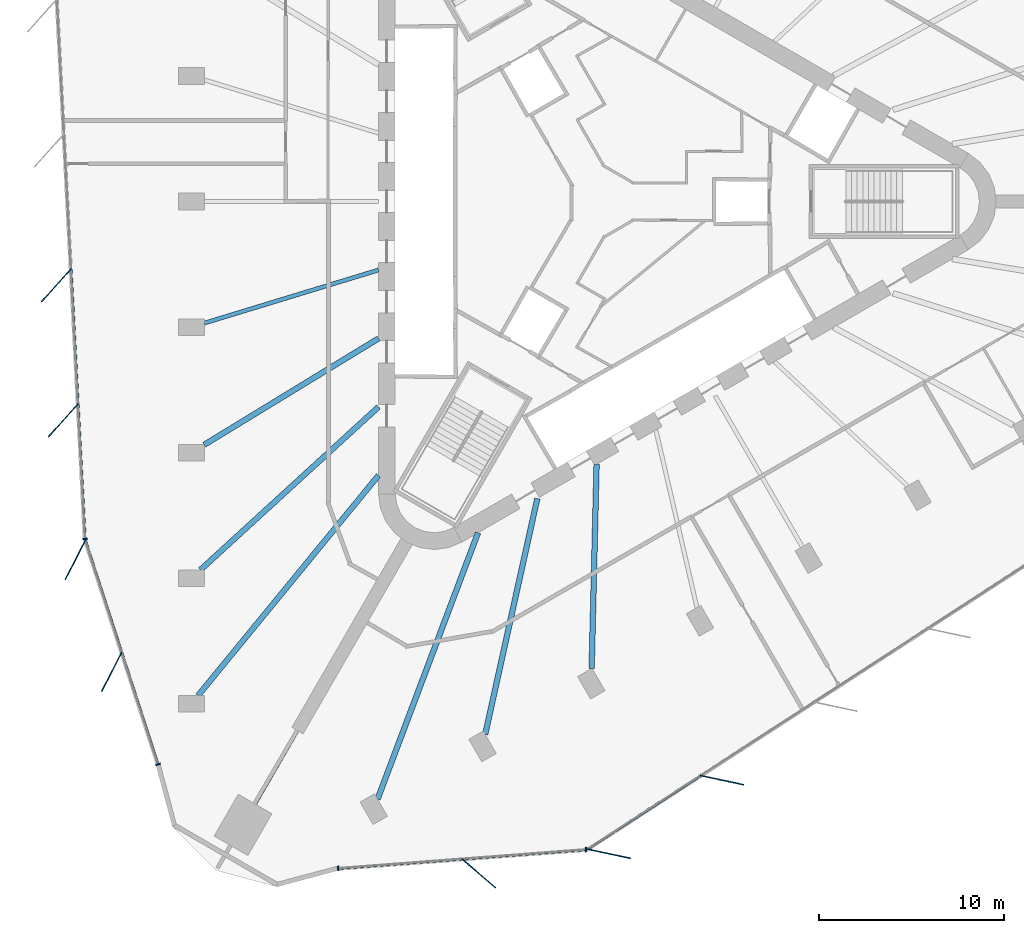
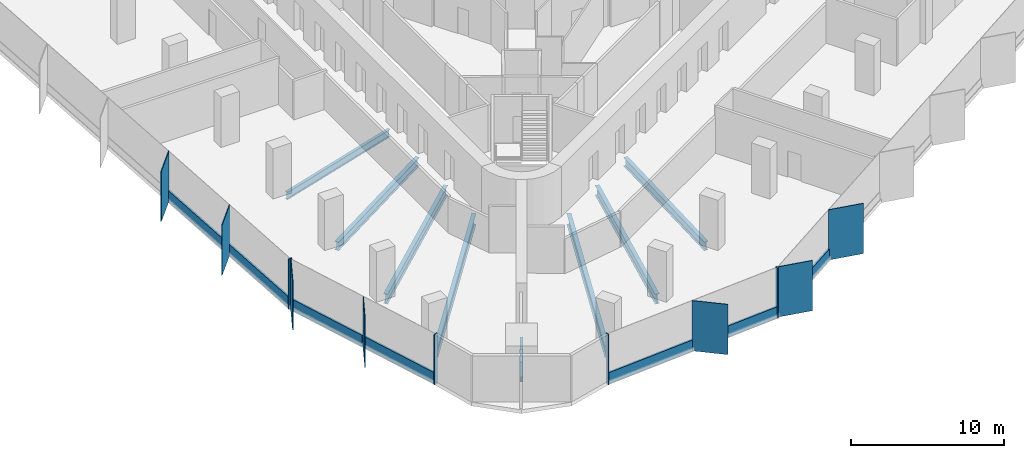
# One storey, part 2 of 14: 18 members, 8 beams, 4 elements without a shape of their own.
"""IFC4 building model written with IfcOpenShell, lengths in metres."""

from ifc_helpers import new_model, si_unit, direction, frame, origin, origin_2d, place, context, subcontext, project, spatial, rectangle, i_section, extrude, material, material_profile, profile_set, type_object, element, aggregate, save


model = new_model("IFC4")

# Units and contexts
model_context = context("Model", 3, precision=1e-05, world=origin(), true_north=direction((0.0, 1.0)))
body_context = subcontext(model_context, "Body", "Model", "MODEL_VIEW")
ifc_project = project(units=[si_unit("LENGTHUNIT", "METRE"), si_unit("AREAUNIT", "SQUARE_METRE"), si_unit("VOLUMEUNIT", "CUBIC_METRE"), si_unit("PLANEANGLEUNIT", "RADIAN"), si_unit("MASSUNIT", "GRAM", prefix="KILO")], contexts=[model_context])

# Site, building, storey
site_placement = place(None, origin())
site = spatial("IfcSite", under=ifc_project, at=site_placement, CompositionType="ELEMENT")
building_placement = place(site_placement, origin())
building = spatial("IfcBuilding", under=site, at=building_placement, Name="Tanit Gate Tower", CompositionType="ELEMENT")
storey_placement = place(building_placement, frame((0.0, 0.0, 209.199951171875)))
storey = spatial("IfcBuildingStorey", under=building, at=storey_placement, Name="L46", CompositionType="ELEMENT", Elevation=209.199951171875)

# Curtain wall, members
ifc_material_1 = material(Name="Aluminium bronze anodised and glass", Category="aluminium")
curtain_wall_type = type_object("IfcCurtainWallType", Name="Curtain wall typical mid", PredefinedType="NOTDEFINED", material=ifc_material_1)
curtain_wall_1_placement = place(storey_placement, origin())
curtain_wall_1 = element("IfcCurtainWall", 1, at=curtain_wall_1_placement, inside=storey, type_object=curtain_wall_type, Name="Curtain wall L46 W2", PredefinedType="NOTDEFINED")
ifc_material_2 = material(Name="Aluminium bronze anodised", Category="aluminium")
ifc_material_profile_1 = material_profile(ifc_material_2, rectangle(XDim=2.39990234375, YDim=0.055908203125, at=origin_2d()), Name="56x2400 bronze fin mullion")
ifc_profile_set_1 = profile_set([ifc_material_profile_1], Name="Aluminium bronze anodised")
member_type_1 = type_object("IfcMemberType", Name="FIN MULLION 56x2400 bronze", PredefinedType="MULLION", material=ifc_profile_set_1)
member_1_placement = place(storey_placement, frame((-29.47216796875, -4.514892578125, -0.300048828125), z_axis=(0.0, 0.0, 1.0), x_axis=(0.669378375715, 0.742921658135, 0.0)))
member_1 = element("IfcMember", 2, at=member_1_placement, type_object=member_type_1, Name="Fin mullion L46 W2.4", PredefinedType="MULLION", context=body_context, shape_type="SweptSolid", body=[
    extrude(rectangle(XDim=2.39990234375, YDim=0.055908203125, at=origin_2d()), origin(), (0.0, 0.0, 1.0), 4.0),
])
member_2_placement = place(storey_placement, frame((-29.09326171875, -11.791015625, -0.300048828125), z_axis=(0.0, 0.0, 1.0), x_axis=(0.669378375715, 0.742921658135, 0.0)))
member_2 = element("IfcMember", 3, at=member_2_placement, type_object=member_type_1, Name="Fin mullion L46 W2.5", PredefinedType="MULLION", context=body_context, shape_type="SweptSolid", body=[
    extrude(rectangle(XDim=2.39990234375, YDim=0.055908203125, at=origin_2d()), origin(), (0.0, 0.0, 1.0), 4.0),
])

curtain_wall_2_placement = place(storey_placement, origin())
curtain_wall_2 = element("IfcCurtainWall", 4, at=curtain_wall_2_placement, inside=storey, type_object=curtain_wall_type, Name="Curtain wall L46 W3", PredefinedType="NOTDEFINED")
member_3_placement = place(storey_placement, frame((-28.44677734375, -19.319091796875, -0.300048828125), z_axis=(0.0, 0.0, 1.0), x_axis=(0.454550571501, 0.890720931576, 0.0)))
member_3 = element("IfcMember", 5, at=member_3_placement, type_object=member_type_1, Name="Fin mullion L46 W3.1", PredefinedType="MULLION", context=body_context, shape_type="SweptSolid", body=[
    extrude(rectangle(XDim=2.39990234375, YDim=0.055908203125, at=origin_2d()), origin(), (0.0, 0.0, 1.0), 4.0),
])
member_4_placement = place(storey_placement, frame((-26.488525390625, -25.359375, -0.300048828125), z_axis=(0.0, 0.0, 1.0), x_axis=(0.454550571501, 0.890720931576, 0.0)))
member_4 = element("IfcMember", 6, at=member_4_placement, type_object=member_type_1, Name="Fin mullion L46 W3.2", PredefinedType="MULLION", context=body_context, shape_type="SweptSolid", body=[
    extrude(rectangle(XDim=2.39990234375, YDim=0.055908203125, at=origin_2d()), origin(), (0.0, 0.0, 1.0), 4.0),
])

# Curtain wall, member
curtain_wall_3_placement = place(storey_placement, origin())
curtain_wall_3 = element("IfcCurtainWall", 7, at=curtain_wall_3_placement, inside=storey, type_object=curtain_wall_type, Name="Curtain wall L46 SE1", PredefinedType="NOTDEFINED")
member_5_placement = place(storey_placement, frame((-6.70263671875, -36.218994140625, -0.300048828125), z_axis=(0.0, 0.0, 1.0), x_axis=(-0.758569780535, 0.651591810921, 0.0)))
member_5 = element("IfcMember", 8, at=member_5_placement, type_object=member_type_1, Name="Fin mullion L46 SE1.2", PredefinedType="MULLION", context=body_context, shape_type="SweptSolid", body=[
    extrude(rectangle(XDim=2.39990234375, YDim=0.055908203125, at=origin_2d()), origin(), (0.0, 0.0, 1.0), 4.0),
])

# Curtain wall, members
curtain_wall_4_placement = place(storey_placement, origin())
curtain_wall_4 = element("IfcCurtainWall", 9, at=curtain_wall_4_placement, inside=storey, type_object=curtain_wall_type, Name="Curtain wall L46 SE2", PredefinedType="NOTDEFINED")
member_6_placement = place(storey_placement, frame((0.310791015625, -35.16455078125, -0.300048828125), z_axis=(0.0, 0.0, 1.0), x_axis=(-0.978078216824, 0.208237849046, 0.0)))
member_6 = element("IfcMember", 10, at=member_6_placement, type_object=member_type_1, Name="Fin mullion L46 SE2.1", PredefinedType="MULLION", context=body_context, shape_type="SweptSolid", body=[
    extrude(rectangle(XDim=2.39990234375, YDim=0.055908203125, at=origin_2d()), origin(), (0.0, 0.0, 1.0), 4.0),
])
member_7_placement = place(storey_placement, frame((6.422607421875, -31.198486328125, -0.300048828125), z_axis=(0.0, 0.0, 1.0), x_axis=(-0.978078216824, 0.208237849046, 0.0)))
member_7 = element("IfcMember", 11, at=member_7_placement, type_object=member_type_1, Name="Fin mullion L46 SE2.2", PredefinedType="MULLION", context=body_context, shape_type="SweptSolid", body=[
    extrude(rectangle(XDim=2.39990234375, YDim=0.055908203125, at=origin_2d()), origin(), (0.0, 0.0, 1.0), 4.0),
])

# Member
ifc_material_3 = material(Name="Aluminium bronze anodised", Category="aluminium")
ifc_material_profile_2 = material_profile(ifc_material_3, rectangle(XDim=0.260009765625, YDim=0.080078125, at=origin_2d()), Name="80x260 bronze mullion")
ifc_profile_set_2 = profile_set([ifc_material_profile_2], Name="Aluminium bronze anodised")
member_type_2 = type_object("IfcMemberType", Name="Mullion 80x260 typical mid", PredefinedType="MULLION", material=ifc_profile_set_2)
member_8_placement = place(storey_placement, frame((-27.925537109375, -18.191162109375, -0.300048828125), z_axis=(0.0, 0.0, 1.0), x_axis=(0.998646931005, 0.05200295371, 0.0)))
member_8 = element("IfcMember", 12, at=member_8_placement, type_object=member_type_2, Name="Mullion L46 W2.6", PredefinedType="MULLION", context=body_context, shape_type="SweptSolid", body=[
    extrude(rectangle(XDim=0.260009765625, YDim=0.080078125, at=origin_2d()), origin(), (0.0, 0.0, 1.0), 4.0),
])

member_9_placement = place(storey_placement, frame((-23.994140625, -30.349853515625, -0.300048828125), z_axis=(0.0, 0.0, 1.0), x_axis=(0.951250602363, 0.308419019362, 0.0)))
member_9 = element("IfcMember", 13, at=member_9_placement, type_object=member_type_2, Name="Mullion L46 W3.3", PredefinedType="MULLION", context=body_context, shape_type="SweptSolid", body=[
    extrude(rectangle(XDim=0.260009765625, YDim=0.080078125, at=origin_2d()), origin(), (0.0, 0.0, 1.0), 4.0),
])

member_10_placement = place(storey_placement, frame((-14.278076171875, -35.957763671875, -0.300048828125), z_axis=(0.0, 0.0, 1.0), x_axis=(-0.075644847752, 0.997134823887, 0.0)))
member_10 = element("IfcMember", 14, at=member_10_placement, type_object=member_type_2, Name="Mullion L46 SE1.1", PredefinedType="MULLION", context=body_context, shape_type="SweptSolid", body=[
    extrude(rectangle(XDim=0.260009765625, YDim=0.080078125, at=origin_2d()), origin(), (0.0, 0.0, 1.0), 4.0),
])

member_11_placement = place(storey_placement, frame((-0.91552734375, -34.94384765625, -0.300048828125), z_axis=(0.0, 0.0, 1.0), x_axis=(-0.075644847752, 0.997134823887, 0.0)))
member_11 = element("IfcMember", 15, at=member_11_placement, type_object=member_type_2, Name="Mullion L46 SE1.3", PredefinedType="MULLION", context=body_context, shape_type="SweptSolid", body=[
    extrude(rectangle(XDim=0.260009765625, YDim=0.080078125, at=origin_2d()), origin(), (0.0, 0.0, 1.0), 4.0),
])

# Beams
ifc_material_4 = material(Name="Steel S355", Category="steel")
ifc_material_profile_3 = material_profile(ifc_material_4, i_section(OverallWidth=0.300048828125, OverallDepth=0.68994140625, WebThickness=0.014404296875, FlangeThickness=0.027099609375, FilletRadius=0.027099609375, at=origin_2d()), Name="HEA 700")
ifc_profile_set_3 = profile_set([ifc_material_profile_3], Name="Steel S355")
beam_type_1 = type_object("IfcBeamType", Name="RADIAL GIRDER HEA 700 S355", PredefinedType="BEAM", material=ifc_profile_set_3)
for number, where, z_axis, x_axis, name in (
    (16, (-21.4970703125, -13.114990234375, -0.64501953125), (0.853674218832, 0.520807380997, 0.0), (-0.520807380997, 0.853674218832, 0.0), "RADIAL GIRDER"),
    (17, (-0.609375, -25.17431640625, -0.64501953125), (0.024202383749, 0.999707079409, 0.0), (-0.999707079409, 0.024202383749, 0.0), "RADIAL GIRDER"),
):
    element("IfcBeam", number, at=place(storey_placement, frame(where, z_axis=z_axis, x_axis=x_axis)), inside=storey, type_object=beam_type_1, Name=name, PredefinedType="BEAM", context=body_context, shape_type="SweptSolid", body=[
        extrude(i_section(OverallWidth=0.300048828125, OverallDepth=0.68994140625, WebThickness=0.014404296875, FlangeThickness=0.027099609375, FilletRadius=0.027099609375, at=origin_2d()), origin(), (0.0, 0.0, 1.0), 11.00537109375),
    ])
ifc_material_5 = material(Name="Steel S355", Category="steel")
ifc_material_profile_4 = material_profile(ifc_material_5, i_section(OverallWidth=0.300048828125, OverallDepth=0.7900390625, WebThickness=0.014892578125, FlangeThickness=0.028076171875, FilletRadius=0.030029296875, at=origin_2d()), Name="HEA 800")
ifc_profile_set_4 = profile_set([ifc_material_profile_4], Name="Steel S355")
beam_type_2 = type_object("IfcBeamType", Name="RADIAL GIRDER HEA 800 S355", PredefinedType="BEAM", material=ifc_profile_set_4)
for number, where, z_axis, x_axis, name in (
    (18, (-21.705322265625, -19.86279296875, -0.695068359375), (0.737724522126, 0.675101865983, 0.0), (-0.675101865983, 0.737724522126, 0.0), "RADIAL GIRDER"),
    (19, (-6.349365234375, -28.728759765625, -0.695068359375), (0.21581230457, 0.976434866848, 0.0), (-0.976434866848, 0.21581230457, 0.0), "RADIAL GIRDER"),
):
    element("IfcBeam", number, at=place(storey_placement, frame(where, z_axis=z_axis, x_axis=x_axis)), inside=storey, type_object=beam_type_2, Name=name, PredefinedType="BEAM", context=body_context, shape_type="SweptSolid", body=[
        extrude(i_section(OverallWidth=0.300048828125, OverallDepth=0.7900390625, WebThickness=0.014892578125, FlangeThickness=0.028076171875, FilletRadius=0.030029296875, at=origin_2d()), origin(), (0.0, 0.0, 1.0), 13.017333984375),
    ])
ifc_material_6 = material(Name="Steel S355", Category="steel")
ifc_material_profile_5 = material_profile(ifc_material_6, i_section(OverallWidth=0.300048828125, OverallDepth=0.889892578125, WebThickness=0.01611328125, FlangeThickness=0.030029296875, FilletRadius=0.030029296875, at=origin_2d()), Name="HEA 900")
ifc_profile_set_5 = profile_set([ifc_material_profile_5], Name="Steel S355")
beam_type_3 = type_object("IfcBeamType", Name="RADIAL GIRDER HEA 900 S355", PredefinedType="BEAM", material=ifc_profile_set_5)
beam_1_placement = place(storey_placement, frame((-21.828125, -26.6337890625, -0.744873046875), z_axis=(0.633876155271, 0.77343456076, 0.0), x_axis=(-0.77343456076, 0.633876155271, 0.0)))
element("IfcBeam", 20, at=beam_1_placement, inside=storey, type_object=beam_type_3, Name="RADIAL GIRDER", PredefinedType="BEAM", context=body_context, shape_type="SweptSolid", body=[
    extrude(i_section(OverallWidth=0.300048828125, OverallDepth=0.889892578125, WebThickness=0.01611328125, FlangeThickness=0.030029296875, FilletRadius=0.030029296875, at=origin_2d()), origin(), (0.0, 0.0, 1.0), 15.34375),
])
beam_2_placement = place(storey_placement, frame((-12.151611328125, -32.220703125, -0.744873046875), z_axis=(0.352876972664, 0.935669729212, 0.0), x_axis=(-0.935669729212, 0.352876972664, 0.0)))
element("IfcBeam", 21, at=beam_2_placement, inside=storey, type_object=beam_type_3, Name="RADIAL GIRDER", PredefinedType="BEAM", context=body_context, shape_type="SweptSolid", body=[
    extrude(i_section(OverallWidth=0.300048828125, OverallDepth=0.889892578125, WebThickness=0.01611328125, FlangeThickness=0.030029296875, FilletRadius=0.030029296875, at=origin_2d()), origin(), (0.0, 0.0, 1.0), 15.343994140625),
])
ifc_material_7 = material(Name="Steel S355", Category="steel")
ifc_material_profile_6 = material_profile(ifc_material_7, i_section(OverallWidth=0.179931640625, OverallDepth=0.39990234375, WebThickness=0.008544921875, FlangeThickness=0.013427734375, FilletRadius=0.02099609375, at=origin_2d()), Name="IPE 400")
ifc_profile_set_6 = profile_set([ifc_material_profile_6], Name="Steel S355")
beam_type_4 = type_object("IfcBeamType", Name="RADIAL GIRDER IPE 400 S355", PredefinedType="BEAM", material=ifc_profile_set_6)
beam_3_placement = place(storey_placement, frame((-18.755615234375, -32.485595703125, -0.5), z_axis=(0.500013963156, 0.866017342002, 0.0), x_axis=(-0.866017342002, 0.500013963156, 0.0)))
element("IfcBeam", 22, at=beam_3_placement, inside=storey, type_object=beam_type_4, Name="RADIAL GIRDER", PredefinedType="BEAM", context=body_context, shape_type="SweptSolid", body=[
    extrude(i_section(OverallWidth=0.179931640625, OverallDepth=0.39990234375, WebThickness=0.008544921875, FlangeThickness=0.013427734375, FilletRadius=0.02099609375, at=origin_2d()), origin(), (0.0, 0.0, 1.0), 4.567138671875),
])
ifc_material_8 = material(Name="Steel S355", Category="steel")
ifc_material_profile_7 = material_profile(ifc_material_8, i_section(OverallWidth=0.219970703125, OverallDepth=0.60009765625, WebThickness=0.011962890625, FlangeThickness=0.01904296875, FilletRadius=0.02392578125, at=origin_2d()), Name="IPE 600")
ifc_profile_set_7 = profile_set([ifc_material_profile_7], Name="Steel S355")
beam_type_5 = type_object("IfcBeamType", Name="RADIAL GIRDER IPE 600 S355", PredefinedType="BEAM", material=ifc_profile_set_7)
beam_4_placement = place(storey_placement, frame((-21.4970703125, -6.5576171875, -0.599853515625), z_axis=(0.956486148302, 0.291777737511, 0.0), x_axis=(-0.291777737511, 0.956486148302, 0.0)))
element("IfcBeam", 23, at=beam_4_placement, inside=storey, type_object=beam_type_5, Name="RADIAL GIRDER", PredefinedType="BEAM", context=body_context, shape_type="SweptSolid", body=[
    extrude(i_section(OverallWidth=0.219970703125, OverallDepth=0.60009765625, WebThickness=0.011962890625, FlangeThickness=0.01904296875, FilletRadius=0.02392578125, at=origin_2d()), origin(), (0.0, 0.0, 1.0), 9.822509765625),
])

# Member
ifc_material_9 = material(Name="Aluminium bronze anodised", Category="aluminium")
ifc_material_profile_8 = material_profile(ifc_material_9, rectangle(XDim=0.139892578125, YDim=0.89990234375, at=origin_2d()), Name="140x900 bronze transom")
ifc_profile_set_8 = profile_set([ifc_material_profile_8], Name="Aluminium bronze anodised")
member_type_3 = type_object("IfcMemberType", Name="Transom 140x900 typical mid", PredefinedType="USERDEFINED", material=ifc_profile_set_8)
member_12_placement = place(storey_placement, frame((-28.68115234375, -3.67919921875, 0.150146484375), z_axis=(0.052007554582, -0.998646691411, 0.0), x_axis=(0.998646691411, 0.052007554582, 0.0)))
member_12 = element("IfcMember", 24, at=member_12_placement, type_object=member_type_3, Name="Transom L46 W2.4", ObjectType="TRANSOM", PredefinedType="USERDEFINED", context=body_context, shape_type="SweptSolid", body=[
    extrude(rectangle(XDim=0.139892578125, YDim=0.89990234375, at=origin_2d()), origin(), (0.0, 0.0, 1.0), 7.205810546875),
])

member_13_placement = place(storey_placement, frame((-28.30224609375, -10.955078125, 0.150146484375), z_axis=(0.052005794951, -0.998646783048, 0.0), x_axis=(0.998646783048, 0.052005794951, 0.0)))
member_13 = element("IfcMember", 25, at=member_13_placement, type_object=member_type_3, Name="Transom L46 W2.5", ObjectType="TRANSOM", PredefinedType="USERDEFINED", context=body_context, shape_type="SweptSolid", body=[
    extrude(rectangle(XDim=0.139892578125, YDim=0.89990234375, at=origin_2d()), origin(), (0.0, 0.0, 1.0), 7.2060546875),
])

aggregate(curtain_wall_1, [member_1, member_2, member_8, member_12, member_13])

member_14_placement = place(storey_placement, frame((-27.898681640625, -18.30712890625, 0.150146484375), z_axis=(0.308437087758, -0.951244743952, 0.0), x_axis=(0.951244743952, 0.308437087758, 0.0)))
member_14 = element("IfcMember", 26, at=member_14_placement, type_object=member_type_3, Name="Transom L46 W3.1", ObjectType="TRANSOM", PredefinedType="USERDEFINED", context=body_context, shape_type="SweptSolid", body=[
    extrude(rectangle(XDim=0.139892578125, YDim=0.89990234375, at=origin_2d()), origin(), (0.0, 0.0, 1.0), 6.269775390625),
])

member_15_placement = place(storey_placement, frame((-25.940185546875, -24.347412109375, 0.150146484375), z_axis=(0.308390429094, -0.951259871562, 0.0), x_axis=(0.951259871562, 0.308390429094, 0.0)))
member_15 = element("IfcMember", 27, at=member_15_placement, type_object=member_type_3, Name="Transom L46 W3.2", ObjectType="TRANSOM", PredefinedType="USERDEFINED", context=body_context, shape_type="SweptSolid", body=[
    extrude(rectangle(XDim=0.139892578125, YDim=0.89990234375, at=origin_2d()), origin(), (0.0, 0.0, 1.0), 6.27001953125),
])

aggregate(curtain_wall_2, [member_3, member_4, member_9, member_14, member_15])

member_16_placement = place(storey_placement, frame((-14.238037109375, -35.95458984375, 0.150146484375), z_axis=(0.997135486421, 0.07563611386, 0.0), x_axis=(-0.07563611386, 0.997135486421, 0.0)))
member_16 = element("IfcMember", 28, at=member_16_placement, type_object=member_type_3, Name="Transom L46 SE1.1", ObjectType="TRANSOM", PredefinedType="USERDEFINED", context=body_context, shape_type="SweptSolid", body=[
    extrude(rectangle(XDim=0.139892578125, YDim=0.89990234375, at=origin_2d()), origin(), (0.0, 0.0, 1.0), 6.620361328125),
])

member_17_placement = place(storey_placement, frame((-7.556884765625, -35.44775390625, 0.150146484375), z_axis=(0.99713569738, 0.075633332667, 0.0), x_axis=(-0.075633332667, 0.99713569738, 0.0)))
member_17 = element("IfcMember", 29, at=member_17_placement, type_object=member_type_3, Name="Transom L46 SE1.2", ObjectType="TRANSOM", PredefinedType="USERDEFINED", context=body_context, shape_type="SweptSolid", body=[
    extrude(rectangle(XDim=0.139892578125, YDim=0.89990234375, at=origin_2d()), origin(), (0.0, 0.0, 1.0), 6.62060546875),
])

aggregate(curtain_wall_3, [member_10, member_5, member_11, member_16, member_17])

member_18_placement = place(storey_placement, frame((-0.80859375, -34.8974609375, 0.150146484375), z_axis=(0.83885131888, 0.544360601819, 0.0), x_axis=(-0.544360601819, 0.83885131888, 0.0)))
member_18 = element("IfcMember", 30, at=member_18_placement, type_object=member_type_3, Name="Transom L46 SE2.1", ObjectType="TRANSOM", PredefinedType="USERDEFINED", context=body_context, shape_type="SweptSolid", body=[
    extrude(rectangle(XDim=0.139892578125, YDim=0.89990234375, at=origin_2d()), origin(), (0.0, 0.0, 1.0), 7.205810546875),
])

aggregate(curtain_wall_4, [member_6, member_7, member_18])

save(model, "model.ifc")
